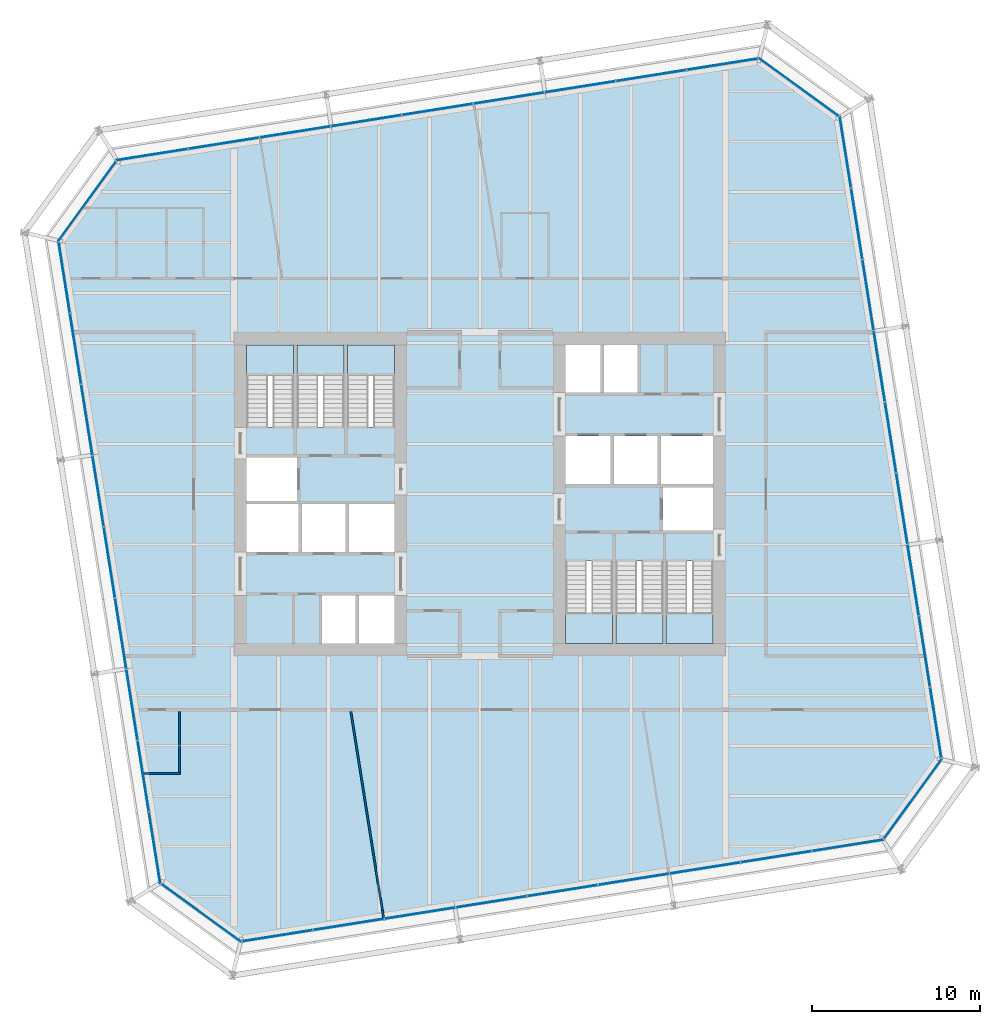
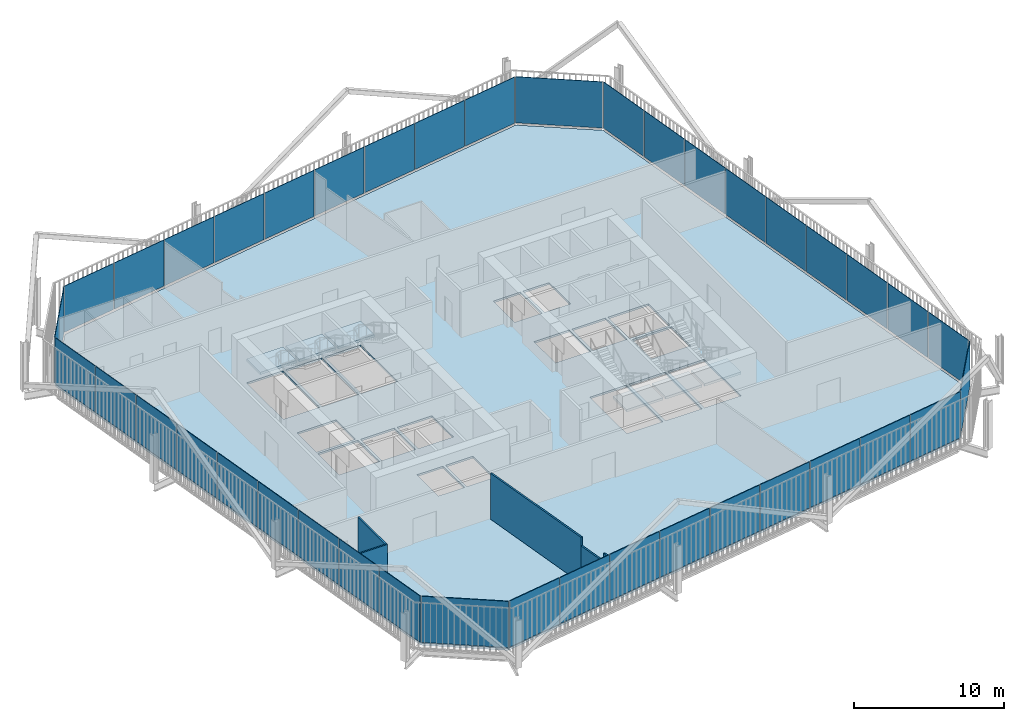
# One storey, part 17 of 22: 40 plates, 7 slabs, 5 walls, 14 elements without a shape of their own.
"""IFC4 building model written with IfcOpenShell, lengths in metres."""

from ifc_helpers import new_model, si_unit, direction, frame, frame_2d, origin, place, context, subcontext, project, spatial, polyline, rectangle, outline, extrude, material, layer, layer_set, type_object, element, aggregate, save


model = new_model("IFC4")

# Units and contexts
model_context = context("Model", 3, precision=1e-05, world=origin(), true_north=direction((0.0, 1.0)))
body_context = subcontext(model_context, "Body", "Model", "MODEL_VIEW")
ifc_project = project(units=[si_unit("LENGTHUNIT", "METRE"), si_unit("AREAUNIT", "SQUARE_METRE"), si_unit("VOLUMEUNIT", "CUBIC_METRE"), si_unit("PLANEANGLEUNIT", "RADIAN"), si_unit("MASSUNIT", "GRAM", prefix="KILO")], contexts=[model_context])

# Site, building, storey
site_placement = place(None, origin())
site = spatial("IfcSite", under=ifc_project, at=site_placement, CompositionType="ELEMENT")
building_placement = place(site_placement, origin())
building = spatial("IfcBuilding", under=site, at=building_placement, Name="Millrace Tower", CompositionType="ELEMENT")
storey_placement = place(building_placement, frame((0.0, 0.0, 137.300048828125)))
storey = spatial("IfcBuildingStorey", under=building, at=storey_placement, Name="L30", CompositionType="ELEMENT", Elevation=137.300048828125)

# Curtain wall, plate
ifc_material_1 = material(Name="Aluminium and glass", Category="aluminium")
ifc_layer_1 = layer(ifc_material_1, 0.14990234375)
ifc_layer_set_1 = layer_set([ifc_layer_1], Name="Aluminium and glass")
curtain_wall_type = type_object("IfcCurtainWallType", Name="CW-1 office vision curtain wall", PredefinedType="NOTDEFINED", material=ifc_layer_set_1)
placement_1 = place(storey_placement, origin())
curtain_wall_1 = element("IfcCurtainWall", 1, at=placement_1, inside=storey, type_object=curtain_wall_type, Name="Curtain wall C-F01 L30", PredefinedType="NOTDEFINED")
ifc_material_2 = material(Name="Glass", Category="glass")
ifc_layer_2 = layer(ifc_material_2, 0.0439453125)
ifc_layer_set_2 = layer_set([ifc_layer_2], Name="Glass")
plate_type = type_object("IfcPlateType", Name="CW-1 office vision curtain wall triple-glazed vision panel", PredefinedType="CURTAIN_PANEL", material=ifc_layer_set_2)
placement_2 = place(storey_placement, frame((0.0, 0.0, 0.139892578125)))
plate_1 = element("IfcPlate", 2, at=placement_2, type_object=plate_type, Name="CW1 panel C-F01.1", PredefinedType="CURTAIN_PANEL", context=body_context, shape_type="SweptSolid", body=[
    extrude(outline(polyline([(-18.988037109375, -23.254638671875), (-14.260009765625, -26.689697265625), (-14.2490234375, -26.6435546875), (-18.962158203125, -23.218994140625), (-18.988037109375, -23.254638671875)])), origin(), (0.0, 0.0, 1.0), 3.760009765625),
])
aggregate(curtain_wall_1, [plate_1])

# Curtain wall, plates
curtain_wall_2 = element("IfcCurtainWall", 3, at=placement_1, inside=storey, type_object=curtain_wall_type, Name="Curtain wall C-F02 L30", PredefinedType="NOTDEFINED")
plate_2 = element("IfcPlate", 4, at=placement_2, type_object=plate_type, Name="CW1 panel C-F02.1", PredefinedType="CURTAIN_PANEL", context=body_context, shape_type="SweptSolid", body=[
    extrude(outline(polyline([(-14.15625, -26.67333984375), (-9.973388671875, -26.0107421875), (-9.980224609375, -25.96728515625), (-14.1630859375, -26.6298828125), (-14.15625, -26.67333984375)])), origin(), (0.0, 0.0, 1.0), 3.760009765625),
])
plate_3 = element("IfcPlate", 5, at=placement_2, type_object=plate_type, Name="CW1 panel C-F02.2", PredefinedType="CURTAIN_PANEL", context=body_context, shape_type="SweptSolid", body=[
    extrude(outline(polyline([(-9.9091796875, -26.000732421875), (-5.726318359375, -25.338134765625), (-5.733154296875, -25.294677734375), (-9.916015625, -25.957275390625), (-9.9091796875, -26.000732421875)])), origin(), (0.0, 0.0, 1.0), 3.760009765625),
])
plate_4 = element("IfcPlate", 6, at=placement_2, type_object=plate_type, Name="CW1 panel C-F02.3", PredefinedType="CURTAIN_PANEL", context=body_context, shape_type="SweptSolid", body=[
    extrude(outline(polyline([(-5.662109375, -25.327880859375), (-1.479248046875, -24.66552734375), (-1.486083984375, -24.6220703125), (-5.6689453125, -25.284423828125), (-5.662109375, -25.327880859375)])), origin(), (0.0, 0.0, 1.0), 3.760009765625),
])
plate_5 = element("IfcPlate", 7, at=placement_2, type_object=plate_type, Name="CW1 panel C-F02.4", PredefinedType="CURTAIN_PANEL", context=body_context, shape_type="SweptSolid", body=[
    extrude(outline(polyline([(-1.4150390625, -24.6552734375), (2.767822265625, -23.992919921875), (2.760986328125, -23.949462890625), (-1.421875, -24.61181640625), (-1.4150390625, -24.6552734375)])), origin(), (0.0, 0.0, 1.0), 3.760009765625),
])
plate_6 = element("IfcPlate", 8, at=placement_2, type_object=plate_type, Name="CW1 panel C-F02.5", PredefinedType="CURTAIN_PANEL", context=body_context, shape_type="SweptSolid", body=[
    extrude(outline(polyline([(2.83203125, -23.982666015625), (7.014892578125, -23.320068359375), (7.008056640625, -23.276611328125), (2.8251953125, -23.939208984375), (2.83203125, -23.982666015625)])), origin(), (0.0, 0.0, 1.0), 3.760009765625),
])
plate_7 = element("IfcPlate", 9, at=placement_2, type_object=plate_type, Name="CW1 panel C-F02.6", PredefinedType="CURTAIN_PANEL", context=body_context, shape_type="SweptSolid", body=[
    extrude(outline(polyline([(7.0791015625, -23.31005859375), (11.261962890625, -22.6474609375), (11.255126953125, -22.60400390625), (7.072265625, -23.2666015625), (7.0791015625, -23.31005859375)])), origin(), (0.0, 0.0, 1.0), 3.760009765625),
])
plate_8 = element("IfcPlate", 10, at=placement_2, type_object=plate_type, Name="CW1 panel C-F02.7", PredefinedType="CURTAIN_PANEL", context=body_context, shape_type="SweptSolid", body=[
    extrude(outline(polyline([(11.326171875, -22.63720703125), (15.509033203125, -21.974853515625), (15.502197265625, -21.931396484375), (11.3193359375, -22.59375), (11.326171875, -22.63720703125)])), origin(), (0.0, 0.0, 1.0), 3.760009765625),
])
plate_9 = element("IfcPlate", 11, at=placement_2, type_object=plate_type, Name="CW1 panel C-F02.8", PredefinedType="CURTAIN_PANEL", context=body_context, shape_type="SweptSolid", body=[
    extrude(outline(polyline([(15.5732421875, -21.964599609375), (19.756103515625, -21.30224609375), (19.749267578125, -21.2587890625), (15.56640625, -21.921142578125), (15.5732421875, -21.964599609375)])), origin(), (0.0, 0.0, 1.0), 3.760009765625),
])
plate_10 = element("IfcPlate", 12, at=placement_2, type_object=plate_type, Name="CW1 panel C-F02.9", PredefinedType="CURTAIN_PANEL", context=body_context, shape_type="SweptSolid", body=[
    extrude(outline(polyline([(19.8203125, -21.2919921875), (24.042724609375, -20.623291015625), (24.01806640625, -20.58251953125), (19.8134765625, -21.24853515625), (19.8203125, -21.2919921875)])), origin(), (0.0, 0.0, 1.0), 3.760009765625),
])
aggregate(curtain_wall_2, [plate_2, plate_3, plate_4, plate_5, plate_6, plate_7, plate_8, plate_9, plate_10])

# Curtain wall, plate
curtain_wall_3 = element("IfcCurtainWall", 13, at=placement_1, inside=storey, type_object=curtain_wall_type, Name="Curtain wall C-F03 L30", PredefinedType="NOTDEFINED")
plate_11 = element("IfcPlate", 14, at=placement_2, type_object=plate_type, Name="CW1 panel C-F03.1", PredefinedType="CURTAIN_PANEL", context=body_context, shape_type="SweptSolid", body=[
    extrude(outline(polyline([(24.104736328125, -20.5380859375), (27.539794921875, -15.81005859375), (27.493408203125, -15.799072265625), (24.069091796875, -20.51220703125), (24.104736328125, -20.5380859375)])), origin(), (0.0, 0.0, 1.0), 3.760009765625),
])
aggregate(curtain_wall_3, [plate_11])

# Curtain wall, plates
curtain_wall_4 = element("IfcCurtainWall", 15, at=placement_1, inside=storey, type_object=curtain_wall_type, Name="Curtain wall C-F04 L30", PredefinedType="NOTDEFINED")
plate_12 = element("IfcPlate", 16, at=placement_2, type_object=plate_type, Name="CW1 panel C-F04.1", PredefinedType="CURTAIN_PANEL", context=body_context, shape_type="SweptSolid", body=[
    extrude(outline(polyline([(27.5234375, -15.706298828125), (26.86083984375, -11.5234375), (26.8173828125, -11.5302734375), (27.47998046875, -15.713134765625), (27.5234375, -15.706298828125)])), origin(), (0.0, 0.0, 1.0), 3.760009765625),
])
plate_13 = element("IfcPlate", 17, at=placement_2, type_object=plate_type, Name="CW1 panel C-F04.2", PredefinedType="CURTAIN_PANEL", context=body_context, shape_type="SweptSolid", body=[
    extrude(outline(polyline([(26.8505859375, -11.459228515625), (26.188232421875, -7.2763671875), (26.144775390625, -7.283203125), (26.80712890625, -11.466064453125), (26.8505859375, -11.459228515625)])), origin(), (0.0, 0.0, 1.0), 3.760009765625),
])
plate_14 = element("IfcPlate", 18, at=placement_2, type_object=plate_type, Name="CW1 panel C-F04.3", PredefinedType="CURTAIN_PANEL", context=body_context, shape_type="SweptSolid", body=[
    extrude(outline(polyline([(26.177978515625, -7.212158203125), (25.515380859375, -3.029296875), (25.471923828125, -3.0361328125), (26.134521484375, -7.218994140625), (26.177978515625, -7.212158203125)])), origin(), (0.0, 0.0, 1.0), 3.760009765625),
])
plate_15 = element("IfcPlate", 19, at=placement_2, type_object=plate_type, Name="CW1 panel C-F04.4", PredefinedType="CURTAIN_PANEL", context=body_context, shape_type="SweptSolid", body=[
    extrude(outline(polyline([(25.50537109375, -2.965087890625), (24.8427734375, 1.2177734375), (24.79931640625, 1.2109375), (25.4619140625, -2.971923828125), (25.50537109375, -2.965087890625)])), origin(), (0.0, 0.0, 1.0), 3.760009765625),
])
plate_16 = element("IfcPlate", 20, at=placement_2, type_object=plate_type, Name="CW1 panel C-F04.5", PredefinedType="CURTAIN_PANEL", context=body_context, shape_type="SweptSolid", body=[
    extrude(outline(polyline([(24.832763671875, 1.281982421875), (24.170166015625, 5.46484375), (24.126708984375, 5.4580078125), (24.789306640625, 1.275146484375), (24.832763671875, 1.281982421875)])), origin(), (0.0, 0.0, 1.0), 3.760009765625),
])
plate_17 = element("IfcPlate", 21, at=placement_2, type_object=plate_type, Name="CW1 panel C-F04.6", PredefinedType="CURTAIN_PANEL", context=body_context, shape_type="SweptSolid", body=[
    extrude(outline(polyline([(24.159912109375, 5.529052734375), (23.49755859375, 9.7119140625), (23.4541015625, 9.705078125), (24.116455078125, 5.522216796875), (24.159912109375, 5.529052734375)])), origin(), (0.0, 0.0, 1.0), 3.760009765625),
])
plate_18 = element("IfcPlate", 22, at=placement_2, type_object=plate_type, Name="CW1 panel C-F04.7", PredefinedType="CURTAIN_PANEL", context=body_context, shape_type="SweptSolid", body=[
    extrude(outline(polyline([(23.4873046875, 9.776123046875), (22.82470703125, 13.958984375), (22.78125, 13.9521484375), (23.44384765625, 9.769287109375), (23.4873046875, 9.776123046875)])), origin(), (0.0, 0.0, 1.0), 3.760009765625),
])
plate_19 = element("IfcPlate", 23, at=placement_2, type_object=plate_type, Name="CW1 panel C-F04.8", PredefinedType="CURTAIN_PANEL", context=body_context, shape_type="SweptSolid", body=[
    extrude(outline(polyline([(22.814697265625, 14.023193359375), (22.152099609375, 18.2060546875), (22.108642578125, 18.19921875), (22.771240234375, 14.016357421875), (22.814697265625, 14.023193359375)])), origin(), (0.0, 0.0, 1.0), 3.760009765625),
])
plate_20 = element("IfcPlate", 24, at=placement_2, type_object=plate_type, Name="CW1 panel C-F04.9", PredefinedType="CURTAIN_PANEL", context=body_context, shape_type="SweptSolid", body=[
    extrude(outline(polyline([(22.14208984375, 18.270263671875), (21.47314453125, 22.492919921875), (21.4326171875, 22.468017578125), (22.0986328125, 18.263427734375), (22.14208984375, 18.270263671875)])), origin(), (0.0, 0.0, 1.0), 3.760009765625),
])
aggregate(curtain_wall_4, [plate_12, plate_13, plate_14, plate_15, plate_16, plate_17, plate_18, plate_19, plate_20])

# Curtain wall, plate
curtain_wall_5 = element("IfcCurtainWall", 25, at=placement_1, inside=storey, type_object=curtain_wall_type, Name="Curtain wall C-F05 L30", PredefinedType="NOTDEFINED")
plate_21 = element("IfcPlate", 26, at=placement_2, type_object=plate_type, Name="CW1 panel C-F05.1", PredefinedType="CURTAIN_PANEL", context=body_context, shape_type="SweptSolid", body=[
    extrude(outline(polyline([(21.38818359375, 22.5546875), (16.66015625, 25.98974609375), (16.64892578125, 25.943359375), (21.3623046875, 22.51904296875), (21.38818359375, 22.5546875)])), origin(), (0.0, 0.0, 1.0), 3.760009765625),
])
aggregate(curtain_wall_5, [plate_21])

# Curtain wall, plates
curtain_wall_6 = element("IfcCurtainWall", 27, at=placement_1, inside=storey, type_object=curtain_wall_type, Name="Curtain wall C-F06 L30", PredefinedType="NOTDEFINED")
plate_22 = element("IfcPlate", 28, at=placement_2, type_object=plate_type, Name="CW1 panel C-F06.1", PredefinedType="CURTAIN_PANEL", context=body_context, shape_type="SweptSolid", body=[
    extrude(outline(polyline([(16.55615234375, 25.973388671875), (12.373291015625, 25.310791015625), (12.380126953125, 25.267333984375), (16.56298828125, 25.929931640625), (16.55615234375, 25.973388671875)])), origin(), (0.0, 0.0, 1.0), 3.760009765625),
])
plate_23 = element("IfcPlate", 29, at=placement_2, type_object=plate_type, Name="CW1 panel C-F06.2", PredefinedType="CURTAIN_PANEL", context=body_context, shape_type="SweptSolid", body=[
    extrude(outline(polyline([(12.30908203125, 25.300537109375), (8.126220703125, 24.63818359375), (8.133056640625, 24.5947265625), (12.31591796875, 25.257080078125), (12.30908203125, 25.300537109375)])), origin(), (0.0, 0.0, 1.0), 3.760009765625),
])
plate_24 = element("IfcPlate", 30, at=placement_2, type_object=plate_type, Name="CW1 panel C-F06.3", PredefinedType="CURTAIN_PANEL", context=body_context, shape_type="SweptSolid", body=[
    extrude(outline(polyline([(8.06201171875, 24.6279296875), (3.879150390625, 23.965576171875), (3.885986328125, 23.922119140625), (8.06884765625, 24.58447265625), (8.06201171875, 24.6279296875)])), origin(), (0.0, 0.0, 1.0), 3.760009765625),
])
plate_25 = element("IfcPlate", 31, at=placement_2, type_object=plate_type, Name="CW1 panel C-F06.4", PredefinedType="CURTAIN_PANEL", context=body_context, shape_type="SweptSolid", body=[
    extrude(outline(polyline([(3.81494140625, 23.955322265625), (-0.367919921875, 23.292724609375), (-0.361083984375, 23.249267578125), (3.82177734375, 23.911865234375), (3.81494140625, 23.955322265625)])), origin(), (0.0, 0.0, 1.0), 3.760009765625),
])
plate_26 = element("IfcPlate", 32, at=placement_2, type_object=plate_type, Name="CW1 panel C-F06.5", PredefinedType="CURTAIN_PANEL", context=body_context, shape_type="SweptSolid", body=[
    extrude(outline(polyline([(-0.43212890625, 23.28271484375), (-4.614990234375, 22.6201171875), (-4.60791015625, 22.57666015625), (-0.42529296875, 23.2392578125), (-0.43212890625, 23.28271484375)])), origin(), (0.0, 0.0, 1.0), 3.760009765625),
])
plate_27 = element("IfcPlate", 33, at=placement_2, type_object=plate_type, Name="CW1 panel C-F06.6", PredefinedType="CURTAIN_PANEL", context=body_context, shape_type="SweptSolid", body=[
    extrude(outline(polyline([(-4.67919921875, 22.60986328125), (-8.862060546875, 21.947509765625), (-8.85498046875, 21.904052734375), (-4.672119140625, 22.56640625), (-4.67919921875, 22.60986328125)])), origin(), (0.0, 0.0, 1.0), 3.760009765625),
])
plate_28 = element("IfcPlate", 34, at=placement_2, type_object=plate_type, Name="CW1 panel C-F06.7", PredefinedType="CURTAIN_PANEL", context=body_context, shape_type="SweptSolid", body=[
    extrude(outline(polyline([(-8.92626953125, 21.937255859375), (-13.109130859375, 21.27490234375), (-13.10205078125, 21.2314453125), (-8.919189453125, 21.893798828125), (-8.92626953125, 21.937255859375)])), origin(), (0.0, 0.0, 1.0), 3.760009765625),
])
plate_29 = element("IfcPlate", 35, at=placement_2, type_object=plate_type, Name="CW1 panel C-F06.8", PredefinedType="CURTAIN_PANEL", context=body_context, shape_type="SweptSolid", body=[
    extrude(outline(polyline([(-13.17333984375, 21.2646484375), (-17.356201171875, 20.60205078125), (-17.34912109375, 20.55859375), (-13.166259765625, 21.22119140625), (-13.17333984375, 21.2646484375)])), origin(), (0.0, 0.0, 1.0), 3.760009765625),
])
plate_30 = element("IfcPlate", 36, at=placement_2, type_object=plate_type, Name="CW1 panel C-F06.9", PredefinedType="CURTAIN_PANEL", context=body_context, shape_type="SweptSolid", body=[
    extrude(outline(polyline([(-17.42041015625, 20.592041015625), (-21.642822265625, 19.923095703125), (-21.617919921875, 19.882568359375), (-17.413330078125, 20.548583984375), (-17.42041015625, 20.592041015625)])), origin(), (0.0, 0.0, 1.0), 3.760009765625),
])
aggregate(curtain_wall_6, [plate_22, plate_23, plate_24, plate_25, plate_26, plate_27, plate_28, plate_29, plate_30])

# Curtain wall, plate
curtain_wall_7 = element("IfcCurtainWall", 37, at=placement_1, inside=storey, type_object=curtain_wall_type, Name="Curtain wall C-F07 L30", PredefinedType="NOTDEFINED")
plate_31 = element("IfcPlate", 38, at=placement_2, type_object=plate_type, Name="CW1 panel C-F07.1", PredefinedType="CURTAIN_PANEL", context=body_context, shape_type="SweptSolid", body=[
    extrude(outline(polyline([(-21.70458984375, 19.838134765625), (-25.139892578125, 15.110107421875), (-25.093505859375, 15.098876953125), (-21.6689453125, 19.812255859375), (-21.70458984375, 19.838134765625)])), origin(), (0.0, 0.0, 1.0), 3.760009765625),
])
aggregate(curtain_wall_7, [plate_31])

# Curtain wall, plates
curtain_wall_8 = element("IfcCurtainWall", 39, at=placement_1, inside=storey, type_object=curtain_wall_type, Name="Curtain wall C-F08 L30", PredefinedType="NOTDEFINED")
plate_32 = element("IfcPlate", 40, at=placement_2, type_object=plate_type, Name="CW1 panel C-F08.1", PredefinedType="CURTAIN_PANEL", context=body_context, shape_type="SweptSolid", body=[
    extrude(outline(polyline([(-25.123291015625, 15.006103515625), (-24.4609375, 10.8232421875), (-24.41748046875, 10.830322265625), (-25.079833984375, 15.01318359375), (-25.123291015625, 15.006103515625)])), origin(), (0.0, 0.0, 1.0), 3.760009765625),
])
plate_33 = element("IfcPlate", 41, at=placement_2, type_object=plate_type, Name="CW1 panel C-F08.2", PredefinedType="CURTAIN_PANEL", context=body_context, shape_type="SweptSolid", body=[
    extrude(outline(polyline([(-24.45068359375, 10.759033203125), (-23.7880859375, 6.576171875), (-23.74462890625, 6.583251953125), (-24.4072265625, 10.76611328125), (-24.45068359375, 10.759033203125)])), origin(), (0.0, 0.0, 1.0), 3.760009765625),
])
plate_34 = element("IfcPlate", 42, at=placement_2, type_object=plate_type, Name="CW1 panel C-F08.3", PredefinedType="CURTAIN_PANEL", context=body_context, shape_type="SweptSolid", body=[
    extrude(outline(polyline([(-23.778076171875, 6.511962890625), (-23.115478515625, 2.3291015625), (-23.072021484375, 2.336181640625), (-23.734619140625, 6.51904296875), (-23.778076171875, 6.511962890625)])), origin(), (0.0, 0.0, 1.0), 3.760009765625),
])
plate_35 = element("IfcPlate", 43, at=placement_2, type_object=plate_type, Name="CW1 panel C-F08.4", PredefinedType="CURTAIN_PANEL", context=body_context, shape_type="SweptSolid", body=[
    extrude(outline(polyline([(-23.105224609375, 2.264892578125), (-22.44287109375, -1.91796875), (-22.3994140625, -1.910888671875), (-23.061767578125, 2.27197265625), (-23.105224609375, 2.264892578125)])), origin(), (0.0, 0.0, 1.0), 3.760009765625),
])
plate_36 = element("IfcPlate", 44, at=placement_2, type_object=plate_type, Name="CW1 panel C-F08.5", PredefinedType="CURTAIN_PANEL", context=body_context, shape_type="SweptSolid", body=[
    extrude(outline(polyline([(-22.4326171875, -1.98193359375), (-21.770263671875, -6.164794921875), (-21.726806640625, -6.157958984375), (-22.38916015625, -1.97509765625), (-22.4326171875, -1.98193359375)])), origin(), (0.0, 0.0, 1.0), 3.760009765625),
])
plate_37 = element("IfcPlate", 45, at=placement_2, type_object=plate_type, Name="CW1 panel C-F08.6", PredefinedType="CURTAIN_PANEL", context=body_context, shape_type="SweptSolid", body=[
    extrude(outline(polyline([(-21.760009765625, -6.22900390625), (-21.097412109375, -10.411865234375), (-21.053955078125, -10.405029296875), (-21.716552734375, -6.22216796875), (-21.760009765625, -6.22900390625)])), origin(), (0.0, 0.0, 1.0), 3.760009765625),
])
plate_38 = element("IfcPlate", 46, at=placement_2, type_object=plate_type, Name="CW1 panel C-F08.7", PredefinedType="CURTAIN_PANEL", context=body_context, shape_type="SweptSolid", body=[
    extrude(outline(polyline([(-21.08740234375, -10.47607421875), (-20.4248046875, -14.658935546875), (-20.38134765625, -14.652099609375), (-21.0439453125, -10.46923828125), (-21.08740234375, -10.47607421875)])), origin(), (0.0, 0.0, 1.0), 3.760009765625),
])
plate_39 = element("IfcPlate", 47, at=placement_2, type_object=plate_type, Name="CW1 panel C-F08.8", PredefinedType="CURTAIN_PANEL", context=body_context, shape_type="SweptSolid", body=[
    extrude(outline(polyline([(-20.41455078125, -14.72314453125), (-19.752197265625, -18.906005859375), (-19.708740234375, -18.899169921875), (-20.37109375, -14.71630859375), (-20.41455078125, -14.72314453125)])), origin(), (0.0, 0.0, 1.0), 3.760009765625),
])
plate_40 = element("IfcPlate", 48, at=placement_2, type_object=plate_type, Name="CW1 panel C-F08.9", PredefinedType="CURTAIN_PANEL", context=body_context, shape_type="SweptSolid", body=[
    extrude(outline(polyline([(-19.741943359375, -18.97021484375), (-19.0732421875, -23.19287109375), (-19.032470703125, -23.16796875), (-19.698486328125, -18.96337890625), (-19.741943359375, -18.97021484375)])), origin(), (0.0, 0.0, 1.0), 3.760009765625),
])
aggregate(curtain_wall_8, [plate_32, plate_33, plate_34, plate_35, plate_36, plate_37, plate_38, plate_39, plate_40])

# Slab
ifc_material_3 = material(Name="Concrete C35 on steel deck", Category="concrete")
ifc_layer_3 = layer(ifc_material_3, 0.159912109375)
ifc_layer_set_3 = layer_set([ifc_layer_3], Name="Concrete C35 on steel deck")
slab_type_1 = type_object("IfcSlabType", Name="Composite floor slab 160 mm", PredefinedType="FLOOR", material=ifc_layer_set_3)
slab_1_placement = place(storey_placement, frame((0.0, 0.0, -0.16015625)))
element("IfcSlab", 49, at=slab_1_placement, inside=storey, type_object=slab_type_1, Name="SL-C-L30-S1", PredefinedType="FLOOR", context=body_context, shape_type="SweptSolid", body=[
    extrude(outline(polyline([(-18.983642578125, -23.137939453125), (-14.235595703125, -26.587646484375), (23.988037109375, -20.53369140625), (27.437744140625, -15.78564453125), (21.3837890625, 22.43798828125), (16.635498046875, 25.8876953125), (-21.587890625, 19.833740234375), (-25.03759765625, 15.08544921875), (-18.983642578125, -23.137939453125)]), holes=[polyline([(-9.39990234375, -8.89990234375), (-7.39990234375, -8.89990234375), (-7.39990234375, -6.050048828125), (-9.39990234375, -6.050048828125), (-9.39990234375, -8.89990234375)]), polyline([(-7.199951171875, -8.89990234375), (-5.10009765625, -8.89990234375), (-5.10009765625, -6.050048828125), (-7.199951171875, -6.050048828125), (-7.199951171875, -8.89990234375)]), polyline([(-13.89990234375, -3.449951171875), (-10.800048828125, -3.449951171875), (-10.800048828125, -0.60009765625), (-13.89990234375, -0.60009765625), (-13.89990234375, -3.449951171875)]), polyline([(-10.60009765625, -3.449951171875), (-8.0, -3.449951171875), (-8.0, -0.60009765625), (-10.60009765625, -0.60009765625), (-10.60009765625, -3.449951171875)]), polyline([(-7.800048828125, -3.449951171875), (-5.10009765625, -3.449951171875), (-5.10009765625, -0.60009765625), (-7.800048828125, -0.60009765625), (-7.800048828125, -3.449951171875)]), polyline([(-13.89990234375, -0.39990234375), (-10.89990234375, -0.39990234375), (-10.89990234375, 2.179931640625), (-13.89990234375, 2.179931640625), (-13.89990234375, -0.39990234375)]), polyline([(-13.89990234375, 4.0), (-11.10009765625, 4.0), (-11.10009765625, 8.89990234375), (-13.89990234375, 8.89990234375), (-13.89990234375, 4.0)]), polyline([(-10.89990234375, 4.0), (-8.10009765625, 4.0), (-8.10009765625, 8.89990234375), (-10.89990234375, 8.89990234375), (-10.89990234375, 4.0)]), polyline([(-7.89990234375, 4.0), (-5.10009765625, 4.0), (-5.10009765625, 8.89990234375), (-7.89990234375, 8.89990234375), (-7.89990234375, 4.0)]), polyline([(7.39990234375, 6.050048828125), (9.39990234375, 6.050048828125), (9.39990234375, 8.89990234375), (7.39990234375, 8.89990234375), (7.39990234375, 6.050048828125)]), polyline([(5.10009765625, 6.050048828125), (7.199951171875, 6.050048828125), (7.199951171875, 8.89990234375), (5.10009765625, 8.89990234375), (5.10009765625, 6.050048828125)]), polyline([(10.800048828125, 0.60009765625), (13.89990234375, 0.60009765625), (13.89990234375, 3.449951171875), (10.800048828125, 3.449951171875), (10.800048828125, 0.60009765625)]), polyline([(8.0, 0.60009765625), (10.60009765625, 0.60009765625), (10.60009765625, 3.449951171875), (8.0, 3.449951171875), (8.0, 0.60009765625)]), polyline([(5.10009765625, 0.60009765625), (7.800048828125, 0.60009765625), (7.800048828125, 3.449951171875), (5.10009765625, 3.449951171875), (5.10009765625, 0.60009765625)]), polyline([(10.89990234375, -2.179931640625), (13.89990234375, -2.179931640625), (13.89990234375, 0.39990234375), (10.89990234375, 0.39990234375), (10.89990234375, -2.179931640625)]), polyline([(11.10009765625, -8.89990234375), (13.89990234375, -8.89990234375), (13.89990234375, -4.0), (11.10009765625, -4.0), (11.10009765625, -8.89990234375)]), polyline([(8.10009765625, -8.89990234375), (10.89990234375, -8.89990234375), (10.89990234375, -4.0), (8.10009765625, -4.0), (8.10009765625, -8.89990234375)]), polyline([(5.10009765625, -8.89990234375), (7.89990234375, -8.89990234375), (7.89990234375, -4.0), (5.10009765625, -4.0), (5.10009765625, -8.89990234375)])]), origin(), (0.0, 0.0, 1.0), 0.16015625),
])

# Stair, slab
ifc_material_4 = material(Name="Concrete C35", Category="concrete")
stair_type = type_object("IfcStairType", Name="Exit stair", PredefinedType="HALF_TURN_STAIR", material=ifc_material_4)
stair_1 = element("IfcStair", 50, at=placement_1, inside=storey, type_object=stair_type, Name="Stair 1 W L30", PredefinedType="HALF_TURN_STAIR")
ifc_material_5 = material(Name="Concrete C40", Category="concrete")
ifc_layer_4 = layer(ifc_material_5, 0.199951171875)
ifc_layer_set_4 = layer_set([ifc_layer_4], Name="Concrete C40")
slab_type_2 = type_object("IfcSlabType", Name="Stair landing", PredefinedType="LANDING", material=ifc_layer_set_4)
placement_3 = place(storey_placement, frame((0.0, 0.0, 1.75)))
slab_2 = element("IfcSlab", 51, at=placement_3, type_object=slab_type_2, Name="ST12 landing 1", PredefinedType="LANDING", context=body_context, shape_type="SweptSolid", body=[
    extrude(outline(polyline([(-13.89990234375, 7.080078125), (-11.10009765625, 7.080078125), (-11.10009765625, 8.89990234375), (-13.89990234375, 8.89990234375), (-13.89990234375, 7.080078125)])), origin(), (0.0, 0.0, 1.0), 0.199951171875),
])
aggregate(stair_1, [slab_2])

stair_2 = element("IfcStair", 52, at=placement_1, inside=storey, type_object=stair_type, Name="Stair 2 W L30", PredefinedType="HALF_TURN_STAIR")
slab_3 = element("IfcSlab", 53, at=placement_3, type_object=slab_type_2, Name="ST12 landing 1", PredefinedType="LANDING", context=body_context, shape_type="SweptSolid", body=[
    extrude(outline(polyline([(-10.89990234375, 7.080078125), (-8.10009765625, 7.080078125), (-8.10009765625, 8.89990234375), (-10.89990234375, 8.89990234375), (-10.89990234375, 7.080078125)])), origin(), (0.0, 0.0, 1.0), 0.199951171875),
])
aggregate(stair_2, [slab_3])

stair_3 = element("IfcStair", 54, at=placement_1, inside=storey, type_object=stair_type, Name="Stair 3 W L30", PredefinedType="HALF_TURN_STAIR")
slab_4 = element("IfcSlab", 55, at=placement_3, type_object=slab_type_2, Name="ST12 landing 1", PredefinedType="LANDING", context=body_context, shape_type="SweptSolid", body=[
    extrude(outline(polyline([(-7.89990234375, 7.080078125), (-5.10009765625, 7.080078125), (-5.10009765625, 8.89990234375), (-7.89990234375, 8.89990234375), (-7.89990234375, 7.080078125)])), origin(), (0.0, 0.0, 1.0), 0.199951171875),
])
aggregate(stair_3, [slab_4])

stair_4 = element("IfcStair", 56, at=placement_1, inside=storey, type_object=stair_type, Name="Stair 1 E L30", PredefinedType="HALF_TURN_STAIR")
slab_5 = element("IfcSlab", 57, at=placement_3, type_object=slab_type_2, Name="ST12 landing 1", PredefinedType="LANDING", context=body_context, shape_type="SweptSolid", body=[
    extrude(outline(polyline([(11.10009765625, -8.89990234375), (13.89990234375, -8.89990234375), (13.89990234375, -7.080078125), (11.10009765625, -7.080078125), (11.10009765625, -8.89990234375)])), origin(), (0.0, 0.0, 1.0), 0.199951171875),
])
aggregate(stair_4, [slab_5])

stair_5 = element("IfcStair", 58, at=placement_1, inside=storey, type_object=stair_type, Name="Stair 2 E L30", PredefinedType="HALF_TURN_STAIR")
slab_6 = element("IfcSlab", 59, at=placement_3, type_object=slab_type_2, Name="ST12 landing 1", PredefinedType="LANDING", context=body_context, shape_type="SweptSolid", body=[
    extrude(outline(polyline([(8.10009765625, -8.89990234375), (10.89990234375, -8.89990234375), (10.89990234375, -7.080078125), (8.10009765625, -7.080078125), (8.10009765625, -8.89990234375)])), origin(), (0.0, 0.0, 1.0), 0.199951171875),
])
aggregate(stair_5, [slab_6])

stair_6 = element("IfcStair", 60, at=placement_1, inside=storey, type_object=stair_type, Name="Stair 3 E L30", PredefinedType="HALF_TURN_STAIR")
slab_7 = element("IfcSlab", 61, at=placement_3, type_object=slab_type_2, Name="ST12 landing 1", PredefinedType="LANDING", context=body_context, shape_type="SweptSolid", body=[
    extrude(outline(polyline([(5.10009765625, -8.89990234375), (7.89990234375, -8.89990234375), (7.89990234375, -7.080078125), (5.10009765625, -7.080078125), (5.10009765625, -8.89990234375)])), origin(), (0.0, 0.0, 1.0), 0.199951171875),
])
aggregate(stair_6, [slab_7])

# Walls
ifc_material_6 = material(Name="Gypsum board partition")
ifc_layer_5 = layer(ifc_material_6, 0.1201171875)
ifc_layer_set_5 = layer_set([ifc_layer_5], Name="Gypsum board partition")
wall_type = type_object("IfcWallType", Name="Partition wall 120", PredefinedType="PARTITIONING", material=ifc_layer_set_5)
wall_1_placement = place(storey_placement, frame((-7.68896484375, -12.948974609375, 0.0), z_axis=(0.0, 0.0, 1.0), x_axis=(0.156444573318, -0.987686739548, 0.0)))
element("IfcWall", 62, at=wall_1_placement, inside=storey, type_object=wall_type, Name="Partition wall L30", PredefinedType="PARTITIONING", context=body_context, shape_type="SweptSolid", body=[
    extrude(rectangle(XDim=9.597412109375, YDim=0.1201171875, at=frame_2d((4.798828125, 0.0))), origin(), (0.0, 0.0, 1.0), 3.739990234375),
])
wall_2_placement = place(storey_placement, frame((-6.1875, -22.42822265625, 0.0), z_axis=(0.0, 0.0, 1.0), x_axis=(0.156401777573, -0.987693517227, 0.0)))
element("IfcWall", 63, at=wall_2_placement, inside=storey, type_object=wall_type, Name="Partition wall L30", PredefinedType="PARTITIONING", context=body_context, shape_type="SweptSolid", body=[
    extrude(rectangle(XDim=2.397705078125, YDim=0.1201171875, at=frame_2d((1.19873046875, 0.0))), origin(), (0.0, 0.0, 1.0), 3.046630859375),
])
wall_3_placement = place(storey_placement, frame((-5.8125, -24.79638671875, 0.0), z_axis=(0.0, 0.0, 1.0), x_axis=(0.156665493816, -0.987651721533, 0.0)))
element("IfcWall", 64, at=wall_3_placement, inside=storey, type_object=wall_type, Name="Partition wall L30", PredefinedType="PARTITIONING", context=body_context, shape_type="SweptSolid", body=[
    extrude(rectangle(XDim=0.4814453125, YDim=0.1201171875, at=frame_2d((0.24072265625, 0.0))), origin(), (0.0, 0.0, 1.0), 3.739990234375),
])
wall_4_placement = place(storey_placement, frame((-20.041748046875, -16.64990234375, 0.0), z_axis=(0.0, 0.0, 1.0), x_axis=(1.0, 0.0, 0.0)))
element("IfcWall", 65, at=wall_4_placement, inside=storey, type_object=wall_type, Name="Partition wall L30", PredefinedType="PARTITIONING", context=body_context, shape_type="SweptSolid", body=[
    extrude(rectangle(XDim=2.208740234375, YDim=0.1201171875, at=frame_2d((1.1044921875, 0.0))), origin(), (0.0, 0.0, 1.0), 3.739990234375),
])
wall_5_placement = place(storey_placement, frame((-17.89306640625, -16.590087890625, 0.0), z_axis=(0.0, 0.0, 1.0), x_axis=(0.0, 1.0, 0.0)))
element("IfcWall", 66, at=wall_5_placement, inside=storey, type_object=wall_type, Name="Partition wall L30", PredefinedType="PARTITIONING", context=body_context, shape_type="SweptSolid", body=[
    extrude(rectangle(XDim=3.64013671875, YDim=0.1201171875, at=frame_2d((1.820068359375, 0.0))), origin(), (0.0, 0.0, 1.0), 3.739990234375),
])

save(model, "model.ifc")
